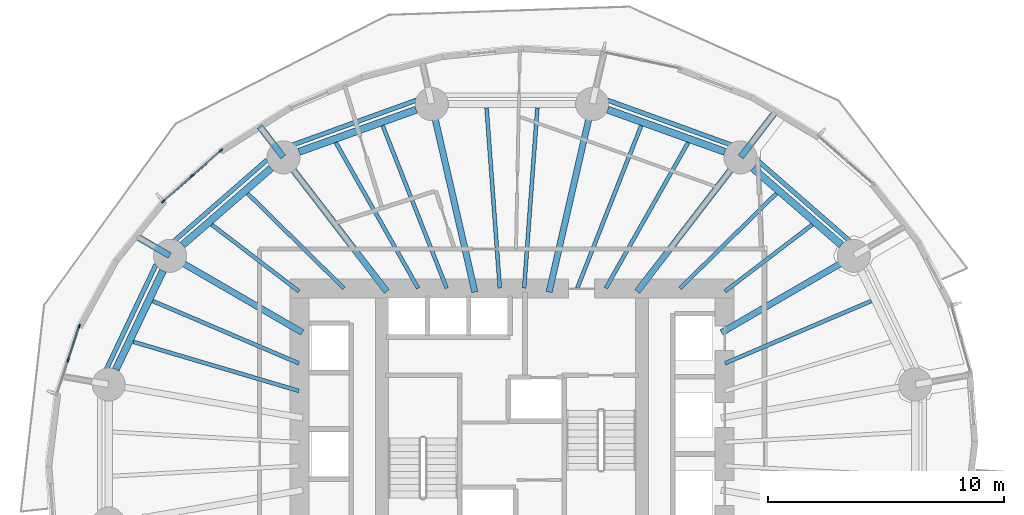
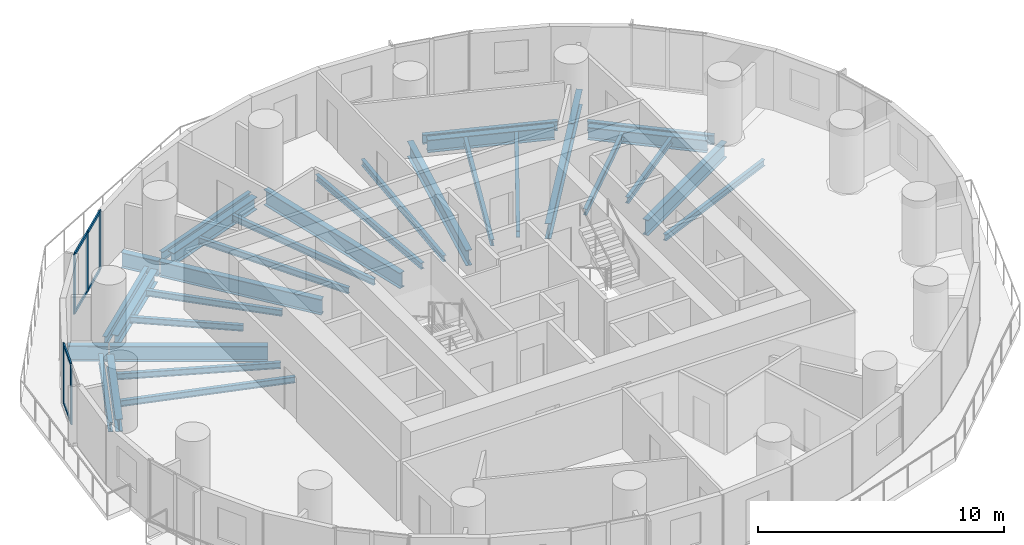
# One storey, part 4 of 13: 32 beams, 11 members, 2 elements without a shape of their own.
"""IFC4 building model written with IfcOpenShell, lengths in metres."""

from ifc_helpers import new_model, si_unit, direction, frame, origin, origin_2d, place, context, subcontext, project, spatial, rectangle, i_section, extrude, material, material_profile, profile_set, type_object, element, aggregate, save


model = new_model("IFC4")

# Units and contexts
model_context = context("Model", 3, precision=1e-05, world=origin(), true_north=direction((0.0, 1.0)))
body_context = subcontext(model_context, "Body", "Model", "MODEL_VIEW")
ifc_project = project(units=[si_unit("LENGTHUNIT", "METRE"), si_unit("AREAUNIT", "SQUARE_METRE"), si_unit("VOLUMEUNIT", "CUBIC_METRE"), si_unit("PLANEANGLEUNIT", "RADIAN"), si_unit("MASSUNIT", "GRAM", prefix="KILO")], contexts=[model_context])

# Site, building, storey
site_placement = place(None, origin())
site = spatial("IfcSite", under=ifc_project, at=site_placement, CompositionType="ELEMENT")
building_placement = place(site_placement, origin())
building = spatial("IfcBuilding", under=site, at=building_placement, Name="Veldorim Arch Residences", CompositionType="ELEMENT")
storey_placement = place(building_placement, frame((0.0, 0.0, 47.199951171875)))
storey = spatial("IfcBuildingStorey", under=building, at=storey_placement, Name="L13", CompositionType="ELEMENT", Elevation=47.199951171875)

# Beams
ifc_material_1 = material(Name="Steel S355", Category="steel")
ifc_material_profile_1 = material_profile(ifc_material_1, i_section(OverallWidth=0.30712890625, OverallDepth=0.6201171875, WebThickness=0.01416015625, FlangeThickness=0.023681640625, at=origin_2d()), Name="UB610x305x179")
ifc_profile_set_1 = profile_set([ifc_material_profile_1], Name="Steel S355")
beam_type_1 = type_object("IfcBeamType", Name="Structural Steel Beam UB610x305x179", PredefinedType="BEAM", material=ifc_profile_set_1)
beam_1_placement = place(storey_placement, frame((45.93896484375, 32.847900390625, -0.550048828125), z_axis=(-0.755264734985, 0.655419850239, 0.0), x_axis=(-0.655419850239, -0.755264734985, 0.0)))
element("IfcBeam", 1, at=beam_1_placement, inside=storey, type_object=beam_type_1, Name="L13 perimeter ring tie beam 02", PredefinedType="BEAM", context=body_context, shape_type="SweptSolid", body=[
    extrude(i_section(OverallWidth=0.30712890625, OverallDepth=0.6201171875, WebThickness=0.01416015625, FlangeThickness=0.023681640625, at=origin_2d()), origin(), (0.0, 0.0, 1.0), 4.956298828125),
])
for number, where, z_axis, x_axis, name in (
    (2, (41.00830078125, 36.7919921875, -0.550048828125), (-0.941058113369, 0.338244922006, 0.0), (-0.338244922006, -0.941058113369, 0.0), "L13 perimeter ring tie beam 03"),
    (3, (27.94677734375, 38.572998046875, -0.550048828125), (-0.941058113369, -0.338244922006, 0.0), (0.338244922006, -0.941058113369, 0.0), "L13 perimeter ring tie beam 05"),
):
    element("IfcBeam", number, at=place(storey_placement, frame(where, z_axis=z_axis, x_axis=x_axis)), inside=storey, type_object=beam_type_1, Name=name, PredefinedType="BEAM", context=body_context, shape_type="SweptSolid", body=[
        extrude(i_section(OverallWidth=0.30712890625, OverallDepth=0.6201171875, WebThickness=0.01416015625, FlangeThickness=0.023681640625, at=origin_2d()), origin(), (0.0, 0.0, 1.0), 5.265380859375),
    ])
beam_2_placement = place(storey_placement, frame((21.804443359375, 36.096435546875, -0.550048828125), z_axis=(-0.755264734985, -0.655419850239, 0.0), x_axis=(0.655419850239, -0.755264734985, 0.0)))
element("IfcBeam", 4, at=beam_2_placement, inside=storey, type_object=beam_type_1, Name="L13 perimeter ring tie beam 06", PredefinedType="BEAM", context=body_context, shape_type="SweptSolid", body=[
    extrude(i_section(OverallWidth=0.30712890625, OverallDepth=0.6201171875, WebThickness=0.01416015625, FlangeThickness=0.023681640625, at=origin_2d()), origin(), (0.0, 0.0, 1.0), 4.956298828125),
])
beam_3_placement = place(storey_placement, frame((17.23095703125, 31.75732421875, -0.550048828125), z_axis=(-0.430776422552, -0.902458682585, 0.0), x_axis=(0.902458682585, -0.430776422552, 0.0)))
element("IfcBeam", 5, at=beam_3_placement, inside=storey, type_object=beam_type_1, Name="L13 perimeter ring tie beam 07", PredefinedType="BEAM", context=body_context, shape_type="SweptSolid", body=[
    extrude(i_section(OverallWidth=0.30712890625, OverallDepth=0.6201171875, WebThickness=0.01416015625, FlangeThickness=0.023681640625, at=origin_2d()), origin(), (0.0, 0.0, 1.0), 4.63134765625),
])
ifc_material_2 = material(Name="Steel S355", Category="steel")
ifc_material_profile_2 = material_profile(ifc_material_2, i_section(OverallWidth=0.26806640625, OverallDepth=0.769775390625, WebThickness=0.015625, FlangeThickness=0.025390625, at=origin_2d()), Name="UB762x267x197")
ifc_profile_set_2 = profile_set([ifc_material_profile_2], Name="Steel S355")
beam_type_2 = type_object("IfcBeamType", Name="Structural Steel GIRDER UB762x267x197", PredefinedType="USERDEFINED", material=ifc_profile_set_2)
beam_4_placement = place(storey_placement, frame((40.8701171875, 29.1435546875, -0.624755859375), z_axis=(0.865088348752, 0.501619525989, 0.0), x_axis=(-0.501619525989, 0.865088348752, 0.0)))
element("IfcBeam", 6, at=beam_4_placement, inside=storey, type_object=beam_type_2, Name="L13 radial floor girder 02", ObjectType="GIRDER", PredefinedType="USERDEFINED", context=body_context, shape_type="SweptSolid", body=[
    extrude(i_section(OverallWidth=0.26806640625, OverallDepth=0.769775390625, WebThickness=0.015625, FlangeThickness=0.025390625, at=origin_2d()), origin(), (0.0, 0.0, 1.0), 6.4501953125),
])
beam_5_placement = place(storey_placement, frame((37.298095703125, 30.881103515625, -0.624755859375), z_axis=(0.610082439157, 0.792337943956, 0.0), x_axis=(-0.792337943956, 0.610082439157, 0.0)))
element("IfcBeam", 7, at=beam_5_placement, inside=storey, type_object=beam_type_2, Name="L13 radial floor girder 03", ObjectType="GIRDER", PredefinedType="USERDEFINED", context=body_context, shape_type="SweptSolid", body=[
    extrude(i_section(OverallWidth=0.26806640625, OverallDepth=0.769775390625, WebThickness=0.015625, FlangeThickness=0.025390625, at=origin_2d()), origin(), (0.0, 0.0, 1.0), 7.14111328125),
])
beam_6_placement = place(storey_placement, frame((41.67919921875, 36.571044921875, -0.624755859375), z_axis=(0.609999263859, 0.792401980116, 0.0), x_axis=(-0.792401980116, 0.609999263859, 0.0)))
element("IfcBeam", 8, at=beam_6_placement, inside=storey, type_object=beam_type_2, Name="L13 radial edge cantilever girder 03", ObjectType="GIRDER", PredefinedType="USERDEFINED", context=body_context, shape_type="SweptSolid", body=[
    extrude(i_section(OverallWidth=0.26806640625, OverallDepth=0.769775390625, WebThickness=0.015625, FlangeThickness=0.025390625, at=origin_2d()), origin(), (0.0, 0.0, 1.0), 2.453369140625),
])
for number, where, z_axis, x_axis, name in (
    (9, (33.571044921875, 30.853759765625, -0.624755859375), (0.223411766201, 0.974724157248, 0.0), (-0.974724157248, 0.223411766201, 0.0), "L13 radial floor girder 04"),
    (10, (30.428955078125, 30.853759765625, -0.624755859375), (-0.223411766201, 0.974724157248, 0.0), (-0.974724157248, -0.223411766201, 0.0), "L13 radial floor girder 05"),
):
    element("IfcBeam", number, at=place(storey_placement, frame(where, z_axis=z_axis, x_axis=x_axis)), inside=storey, type_object=beam_type_2, Name=name, ObjectType="GIRDER", PredefinedType="USERDEFINED", context=body_context, shape_type="SweptSolid", body=[
        extrude(i_section(OverallWidth=0.26806640625, OverallDepth=0.769775390625, WebThickness=0.015625, FlangeThickness=0.025390625, at=origin_2d()), origin(), (0.0, 0.0, 1.0), 8.142333984375),
    ])
beam_7_placement = place(storey_placement, frame((26.701904296875, 30.881103515625, -0.624755859375), z_axis=(-0.610082439157, 0.792337943956, 0.0), x_axis=(-0.792337943956, -0.610082439157, 0.0)))
element("IfcBeam", 11, at=beam_7_placement, inside=storey, type_object=beam_type_2, Name="L13 radial floor girder 06", ObjectType="GIRDER", PredefinedType="USERDEFINED", context=body_context, shape_type="SweptSolid", body=[
    extrude(i_section(OverallWidth=0.26806640625, OverallDepth=0.769775390625, WebThickness=0.015625, FlangeThickness=0.025390625, at=origin_2d()), origin(), (0.0, 0.0, 1.0), 7.14111328125),
])
beam_8_placement = place(storey_placement, frame((22.32080078125, 36.571044921875, -0.624755859375), z_axis=(-0.610020580693, 0.792385569739, 0.0), x_axis=(-0.792385569739, -0.610020580693, 0.0)))
element("IfcBeam", 12, at=beam_8_placement, inside=storey, type_object=beam_type_2, Name="L13 radial edge cantilever girder 06", ObjectType="GIRDER", PredefinedType="USERDEFINED", context=body_context, shape_type="SweptSolid", body=[
    extrude(i_section(OverallWidth=0.26806640625, OverallDepth=0.769775390625, WebThickness=0.015625, FlangeThickness=0.025390625, at=origin_2d()), origin(), (0.0, 0.0, 1.0), 1.63720703125),
])
beam_9_placement = place(storey_placement, frame((23.1298828125, 29.1435546875, -0.624755859375), z_axis=(-0.865088348752, 0.501619525989, 0.0), x_axis=(-0.501619525989, -0.865088348752, 0.0)))
element("IfcBeam", 13, at=beam_9_placement, inside=storey, type_object=beam_type_2, Name="L13 radial floor girder 07", ObjectType="GIRDER", PredefinedType="USERDEFINED", context=body_context, shape_type="SweptSolid", body=[
    extrude(i_section(OverallWidth=0.26806640625, OverallDepth=0.769775390625, WebThickness=0.015625, FlangeThickness=0.025390625, at=origin_2d()), origin(), (0.0, 0.0, 1.0), 6.4501953125),
])
beam_10_placement = place(storey_placement, frame((17.51513671875, 32.399169921875, -0.624755859375), z_axis=(-0.865102284846, 0.501595491163, 0.0), x_axis=(-0.501595491163, -0.865102284846, 0.0)))
element("IfcBeam", 14, at=beam_10_placement, inside=storey, type_object=beam_type_2, Name="L13 radial edge cantilever girder 07", ObjectType="GIRDER", PredefinedType="USERDEFINED", context=body_context, shape_type="SweptSolid", body=[
    extrude(i_section(OverallWidth=0.26806640625, OverallDepth=0.769775390625, WebThickness=0.015625, FlangeThickness=0.025390625, at=origin_2d()), origin(), (0.0, 0.0, 1.0), 1.6689453125),
])
ifc_material_3 = material(Name="Steel S355", Category="steel")
ifc_material_profile_3 = material_profile(ifc_material_3, i_section(OverallWidth=0.165771484375, OverallDepth=0.306640625, WebThickness=0.006591796875, FlangeThickness=0.01171875, at=origin_2d()), Name="UB305x165x46")
ifc_profile_set_3 = profile_set([ifc_material_profile_3], Name="Steel S355")
beam_type_3 = type_object("IfcBeamType", Name="Structural Steel Joist UB305x165x46", PredefinedType="JOIST", material=ifc_profile_set_3)
beam_11_placement = place(storey_placement, frame((41.018310546875, 27.84130859375, -0.393310546875), z_axis=(0.920032948668, 0.391841005213, 0.0), x_axis=(-0.391841005213, 0.920032948668, 0.0)))
element("IfcBeam", 15, at=beam_11_placement, inside=storey, type_object=beam_type_3, Name="L13 secondary radial floor joist 01-2", PredefinedType="JOIST", context=body_context, shape_type="SweptSolid", body=[
    extrude(i_section(OverallWidth=0.165771484375, OverallDepth=0.306640625, WebThickness=0.006591796875, FlangeThickness=0.01171875, at=origin_2d()), origin(), (0.0, 0.0, 1.0), 6.723388671875),
])
beam_12_placement = place(storey_placement, frame((41.015869140625, 30.8876953125, -0.393310546875), z_axis=(0.794666431166, 0.607046343517, 0.0), x_axis=(-0.607046343517, 0.794666431166, 0.0)))
element("IfcBeam", 16, at=beam_12_placement, inside=storey, type_object=beam_type_3, Name="L13 secondary radial floor joist 02-1", PredefinedType="JOIST", context=body_context, shape_type="SweptSolid", body=[
    extrude(i_section(OverallWidth=0.165771484375, OverallDepth=0.306640625, WebThickness=0.006591796875, FlangeThickness=0.01171875, at=origin_2d()), origin(), (0.0, 0.0, 1.0), 4.646728515625),
])
beam_13_placement = place(storey_placement, frame((39.114990234375, 31.013916015625, -0.393310546875), z_axis=(0.712129078446, 0.702048556463, 0.0), x_axis=(-0.702048556463, 0.712129078446, 0.0)))
element("IfcBeam", 17, at=beam_13_placement, inside=storey, type_object=beam_type_3, Name="L13 secondary radial floor joist 02-2", PredefinedType="JOIST", context=body_context, shape_type="SweptSolid", body=[
    extrude(i_section(OverallWidth=0.165771484375, OverallDepth=0.306640625, WebThickness=0.006591796875, FlangeThickness=0.01171875, at=origin_2d()), origin(), (0.0, 0.0, 1.0), 5.715576171875),
])
beam_14_placement = place(storey_placement, frame((35.96875, 31.017333984375, -0.393310546875), z_axis=(0.492292335352, 0.870429926274, 0.0), x_axis=(-0.870429926274, 0.492292335352, 0.0)))
element("IfcBeam", 18, at=beam_14_placement, inside=storey, type_object=beam_type_3, Name="L13 secondary radial floor joist 03-1", PredefinedType="JOIST", context=body_context, shape_type="SweptSolid", body=[
    extrude(i_section(OverallWidth=0.165771484375, OverallDepth=0.306640625, WebThickness=0.006591796875, FlangeThickness=0.01171875, at=origin_2d()), origin(), (0.0, 0.0, 1.0), 7.083251953125),
])
beam_15_placement = place(storey_placement, frame((34.762451171875, 31.0185546875, -0.393310546875), z_axis=(0.366229833858, 0.930524426758, 0.0), x_axis=(-0.930524426758, 0.366229833858, 0.0)))
element("IfcBeam", 19, at=beam_15_placement, inside=storey, type_object=beam_type_3, Name="L13 secondary radial floor joist 03-2", PredefinedType="JOIST", context=body_context, shape_type="SweptSolid", body=[
    extrude(i_section(OverallWidth=0.165771484375, OverallDepth=0.306640625, WebThickness=0.006591796875, FlangeThickness=0.01171875, at=origin_2d()), origin(), (0.0, 0.0, 1.0), 7.3896484375),
])
for number, where, z_axis, x_axis, name in (
    (20, (32.514892578125, 31.02001953125, -0.393310546875), (0.073167620373, 0.997319657547, 0.0), (-0.997319657547, 0.073167620373, 0.0), "L13 secondary radial floor joist 04-1"),
    (21, (31.485107421875, 31.02001953125, -0.393310546875), (-0.073167620373, 0.997319657547, 0.0), (-0.997319657547, -0.073167620373, 0.0), "L13 secondary radial floor joist 04-2"),
):
    element("IfcBeam", number, at=place(storey_placement, frame(where, z_axis=z_axis, x_axis=x_axis)), inside=storey, type_object=beam_type_3, Name=name, PredefinedType="JOIST", context=body_context, shape_type="SweptSolid", body=[
        extrude(i_section(OverallWidth=0.165771484375, OverallDepth=0.306640625, WebThickness=0.006591796875, FlangeThickness=0.01171875, at=origin_2d()), origin(), (0.0, 0.0, 1.0), 7.651123046875),
    ])
beam_16_placement = place(storey_placement, frame((29.237548828125, 31.0185546875, -0.393310546875), z_axis=(-0.366229833858, 0.930524426758, 0.0), x_axis=(-0.930524426758, -0.366229833858, 0.0)))
element("IfcBeam", 22, at=beam_16_placement, inside=storey, type_object=beam_type_3, Name="L13 secondary radial floor joist 05-1", PredefinedType="JOIST", context=body_context, shape_type="SweptSolid", body=[
    extrude(i_section(OverallWidth=0.165771484375, OverallDepth=0.306640625, WebThickness=0.006591796875, FlangeThickness=0.01171875, at=origin_2d()), origin(), (0.0, 0.0, 1.0), 7.3896484375),
])
beam_17_placement = place(storey_placement, frame((28.03125, 31.017333984375, -0.393310546875), z_axis=(-0.492292335352, 0.870429926274, 0.0), x_axis=(-0.870429926274, -0.492292335352, 0.0)))
element("IfcBeam", 23, at=beam_17_placement, inside=storey, type_object=beam_type_3, Name="L13 secondary radial floor joist 05-2", PredefinedType="JOIST", context=body_context, shape_type="SweptSolid", body=[
    extrude(i_section(OverallWidth=0.165771484375, OverallDepth=0.306640625, WebThickness=0.006591796875, FlangeThickness=0.01171875, at=origin_2d()), origin(), (0.0, 0.0, 1.0), 7.083251953125),
])
beam_18_placement = place(storey_placement, frame((24.885009765625, 31.013916015625, -0.393310546875), z_axis=(-0.712129078446, 0.702048556463, 0.0), x_axis=(-0.702048556463, -0.712129078446, 0.0)))
element("IfcBeam", 24, at=beam_18_placement, inside=storey, type_object=beam_type_3, Name="L13 secondary radial floor joist 06-1", PredefinedType="JOIST", context=body_context, shape_type="SweptSolid", body=[
    extrude(i_section(OverallWidth=0.165771484375, OverallDepth=0.306640625, WebThickness=0.006591796875, FlangeThickness=0.01171875, at=origin_2d()), origin(), (0.0, 0.0, 1.0), 5.715576171875),
])
beam_19_placement = place(storey_placement, frame((22.984130859375, 30.8876953125, -0.393310546875), z_axis=(-0.794666431166, 0.607046343517, 0.0), x_axis=(-0.607046343517, -0.794666431166, 0.0)))
element("IfcBeam", 25, at=beam_19_placement, inside=storey, type_object=beam_type_3, Name="L13 secondary radial floor joist 06-2", PredefinedType="JOIST", context=body_context, shape_type="SweptSolid", body=[
    extrude(i_section(OverallWidth=0.165771484375, OverallDepth=0.306640625, WebThickness=0.006591796875, FlangeThickness=0.01171875, at=origin_2d()), origin(), (0.0, 0.0, 1.0), 4.646728515625),
])
beam_20_placement = place(storey_placement, frame((22.981689453125, 27.84130859375, -0.393310546875), z_axis=(-0.920032948668, 0.391841005213, 0.0), x_axis=(-0.391841005213, -0.920032948668, 0.0)))
element("IfcBeam", 26, at=beam_20_placement, inside=storey, type_object=beam_type_3, Name="L13 secondary radial floor joist 07-1", PredefinedType="JOIST", context=body_context, shape_type="SweptSolid", body=[
    extrude(i_section(OverallWidth=0.165771484375, OverallDepth=0.306640625, WebThickness=0.006591796875, FlangeThickness=0.01171875, at=origin_2d()), origin(), (0.0, 0.0, 1.0), 6.723388671875),
])
beam_21_placement = place(storey_placement, frame((22.980712890625, 26.67333984375, -0.393310546875), z_axis=(-0.958766778771, 0.284194060325, 0.0), x_axis=(-0.284194060325, -0.958766778771, 0.0)))
element("IfcBeam", 27, at=beam_21_placement, inside=storey, type_object=beam_type_3, Name="L13 secondary radial floor joist 07-2", PredefinedType="JOIST", context=body_context, shape_type="SweptSolid", body=[
    extrude(i_section(OverallWidth=0.165771484375, OverallDepth=0.306640625, WebThickness=0.006591796875, FlangeThickness=0.01171875, at=origin_2d()), origin(), (0.0, 0.0, 1.0), 7.3115234375),
])
ifc_material_4 = material(Name="Steel S355", Category="steel")
ifc_material_profile_4 = material_profile(ifc_material_4, i_section(OverallWidth=0.19140625, OverallDepth=0.4599609375, WebThickness=0.010009765625, FlangeThickness=0.01611328125, at=origin_2d()), Name="UB457x191x82")
ifc_profile_set_4 = profile_set([ifc_material_profile_4], Name="Steel S355")
beam_type_4 = type_object("IfcBeamType", Name="Structural Steel Spandrel UB457x191x82", PredefinedType="SPANDREL", material=ifc_profile_set_4)
beam_22_placement = place(storey_placement, frame((46.332275390625, 32.98486328125, -0.489990234375), z_axis=(-0.75323350982, 0.657753205758, 0.0), x_axis=(-0.657753205758, -0.75323350982, 0.0)))
element("IfcBeam", 28, at=beam_22_placement, inside=storey, type_object=beam_type_4, Name="L13 perimeter chord spandrel beam 02", PredefinedType="SPANDREL", context=body_context, shape_type="SweptSolid", body=[
    extrude(i_section(OverallWidth=0.19140625, OverallDepth=0.4599609375, WebThickness=0.010009765625, FlangeThickness=0.01611328125, at=origin_2d()), origin(), (0.0, 0.0, 1.0), 5.27001953125),
])
for number, where, z_axis, x_axis, name in (
    (29, (41.319580078125, 37.06591796875, -0.489990234375), (-0.940268980555, 0.340432437064, 0.0), (-0.340432437064, -0.940268980555, 0.0), "L13 perimeter chord spandrel beam 03"),
    (30, (27.94140625, 38.970703125, -0.489990234375), (-0.940268980555, -0.340432437064, 0.0), (0.340432437064, -0.940268980555, 0.0), "L13 perimeter chord spandrel beam 05"),
):
    element("IfcBeam", number, at=place(storey_placement, frame(where, z_axis=z_axis, x_axis=x_axis)), inside=storey, type_object=beam_type_4, Name=name, PredefinedType="SPANDREL", context=body_context, shape_type="SweptSolid", body=[
        extrude(i_section(OverallWidth=0.19140625, OverallDepth=0.4599609375, WebThickness=0.010009765625, FlangeThickness=0.01611328125, at=origin_2d()), origin(), (0.0, 0.0, 1.0), 5.59521484375),
    ])
beam_23_placement = place(storey_placement, frame((21.63720703125, 36.451171875, -0.489990234375), z_axis=(-0.75323350982, -0.657753205758, 0.0), x_axis=(0.657753205758, -0.75323350982, 0.0)))
element("IfcBeam", 31, at=beam_23_placement, inside=storey, type_object=beam_type_4, Name="L13 perimeter chord spandrel beam 06", PredefinedType="SPANDREL", context=body_context, shape_type="SweptSolid", body=[
    extrude(i_section(OverallWidth=0.19140625, OverallDepth=0.4599609375, WebThickness=0.010009765625, FlangeThickness=0.01611328125, at=origin_2d()), origin(), (0.0, 0.0, 1.0), 5.27001953125),
])
beam_24_placement = place(storey_placement, frame((16.939453125, 32.023193359375, -0.489990234375), z_axis=(-0.428847831425, -0.903376741721, 0.0), x_axis=(0.903376741721, -0.428847831425, 0.0)))
element("IfcBeam", 32, at=beam_24_placement, inside=storey, type_object=beam_type_4, Name="L13 perimeter chord spandrel beam 07", PredefinedType="SPANDREL", context=body_context, shape_type="SweptSolid", body=[
    extrude(i_section(OverallWidth=0.19140625, OverallDepth=0.4599609375, WebThickness=0.010009765625, FlangeThickness=0.01611328125, at=origin_2d()), origin(), (0.0, 0.0, 1.0), 4.932861328125),
])

# Curtain wall, members
ifc_material_5 = material(Name="Aluminium", Category="aluminium")
curtain_wall_type = type_object("IfcCurtainWallType", Name="Zone 1 Acoustic Low-E Unitised Curtain Wall", PredefinedType="NOTDEFINED", material=ifc_material_5)
curtain_wall_1_placement = place(storey_placement, origin())
curtain_wall_1 = element("IfcCurtainWall", 33, at=curtain_wall_1_placement, inside=storey, type_object=curtain_wall_type, Name="L13 unitised curtain wall bay 13", PredefinedType="NOTDEFINED")
ifc_material_6 = material(Name="Aluminium", Category="aluminium")
ifc_material_profile_5 = material_profile(ifc_material_6, rectangle(XDim=0.06494140625, YDim=0.175048828125, at=origin_2d()), Name="ALU_MUL_65x175")
ifc_profile_set_5 = profile_set([ifc_material_profile_5], Name="Aluminium")
member_type_1 = type_object("IfcMemberType", Name="Zone 1 Acoustic Low-E Unitised Curtain Wall Mullion 65x175", PredefinedType="MULLION", material=ifc_profile_set_5)
member_1_placement = place(storey_placement, frame((17.2470703125, 34.698974609375, 0.0), z_axis=(0.0, 0.0, 1.0), x_axis=(-0.661206750082, 0.750203728094, 0.0)))
member_1 = element("IfcMember", 34, at=member_1_placement, type_object=member_type_1, Name="CW-Z1 mullion 1", PredefinedType="MULLION", context=body_context, shape_type="SweptSolid", body=[
    extrude(rectangle(XDim=0.06494140625, YDim=0.175048828125, at=origin_2d()), origin(), (0.0, 0.0, 1.0), 2.9599609375),
])
member_2_placement = place(storey_placement, frame((18.4638671875, 35.771484375, 0.0), z_axis=(0.0, 0.0, 1.0), x_axis=(-0.661206750082, 0.750203728094, 0.0)))
member_2 = element("IfcMember", 35, at=member_2_placement, type_object=member_type_1, Name="CW-Z1 mullion 2", PredefinedType="MULLION", context=body_context, shape_type="SweptSolid", body=[
    extrude(rectangle(XDim=0.06494140625, YDim=0.175048828125, at=origin_2d()), origin(), (0.0, 0.0, 1.0), 2.9599609375),
])
member_3_placement = place(storey_placement, frame((19.680908203125, 36.843994140625, 0.0), z_axis=(0.0, 0.0, 1.0), x_axis=(-0.661206750082, 0.750203728094, 0.0)))
member_3 = element("IfcMember", 36, at=member_3_placement, type_object=member_type_1, Name="CW-Z1 mullion 3", PredefinedType="MULLION", context=body_context, shape_type="SweptSolid", body=[
    extrude(rectangle(XDim=0.06494140625, YDim=0.175048828125, at=origin_2d()), origin(), (0.0, 0.0, 1.0), 2.9599609375),
])

curtain_wall_2_placement = place(storey_placement, origin())
curtain_wall_2 = element("IfcCurtainWall", 37, at=curtain_wall_2_placement, inside=storey, type_object=curtain_wall_type, Name="L13 unitised curtain wall bay 16", PredefinedType="NOTDEFINED")
member_4_placement = place(storey_placement, frame((13.217529296875, 27.972900390625, 0.0), z_axis=(0.0, 0.0, 1.0), x_axis=(-0.950263369365, 0.31144747365, 0.0)))
member_4 = element("IfcMember", 38, at=member_4_placement, type_object=member_type_1, Name="CW-Z1 mullion 2", PredefinedType="MULLION", context=body_context, shape_type="SweptSolid", body=[
    extrude(rectangle(XDim=0.06494140625, YDim=0.175048828125, at=origin_2d()), origin(), (0.0, 0.0, 1.0), 2.9599609375),
])
member_5_placement = place(storey_placement, frame((13.6875, 29.4072265625, 0.0), z_axis=(0.0, 0.0, 1.0), x_axis=(-0.950263369365, 0.31144747365, 0.0)))
member_5 = element("IfcMember", 39, at=member_5_placement, type_object=member_type_1, Name="CW-Z1 mullion 3", PredefinedType="MULLION", context=body_context, shape_type="SweptSolid", body=[
    extrude(rectangle(XDim=0.06494140625, YDim=0.175048828125, at=origin_2d()), origin(), (0.0, 0.0, 1.0), 2.9599609375),
])

# Member
ifc_material_7 = material(Name="Aluminium", Category="aluminium")
ifc_material_profile_6 = material_profile(ifc_material_7, rectangle(XDim=0.06494140625, YDim=0.14990234375, at=origin_2d()), Name="ALU_TRN_65x150")
ifc_profile_set_6 = profile_set([ifc_material_profile_6], Name="Aluminium")
member_type_2 = type_object("IfcMemberType", Name="Zone 1 Acoustic Low-E Unitised Curtain Wall Transom 65x150", PredefinedType="USERDEFINED", material=ifc_profile_set_6)
member_6_placement = place(storey_placement, frame((17.271484375, 34.720458984375, 0.032470703125), z_axis=(0.750162665742, 0.66125333642, 0.0), x_axis=(-0.66125333642, 0.750162665742, 0.0)))
member_6 = element("IfcMember", 40, at=member_6_placement, type_object=member_type_2, Name="CW-Z1 transom 1.1", ObjectType="TRANSOM", PredefinedType="USERDEFINED", context=body_context, shape_type="SweptSolid", body=[
    extrude(rectangle(XDim=0.06494140625, YDim=0.14990234375, at=origin_2d()), origin(), (0.0, 0.0, 1.0), 1.556884765625),
])

member_7_placement = place(storey_placement, frame((17.271484375, 34.720458984375, 2.927490234375), z_axis=(0.750162665742, 0.66125333642, 0.0), x_axis=(-0.66125333642, 0.750162665742, 0.0)))
member_7 = element("IfcMember", 41, at=member_7_placement, type_object=member_type_2, Name="CW-Z1 transom 1.2", ObjectType="TRANSOM", PredefinedType="USERDEFINED", context=body_context, shape_type="SweptSolid", body=[
    extrude(rectangle(XDim=0.06494140625, YDim=0.14990234375, at=origin_2d()), origin(), (0.0, 0.0, 1.0), 1.556884765625),
])

member_8_placement = place(storey_placement, frame((18.48828125, 35.79296875, 0.032470703125), z_axis=(0.750231218258, 0.661175558494, 0.0), x_axis=(-0.661175558494, 0.750231218258, 0.0)))
member_8 = element("IfcMember", 42, at=member_8_placement, type_object=member_type_2, Name="CW-Z1 transom 2.1", ObjectType="TRANSOM", PredefinedType="USERDEFINED", context=body_context, shape_type="SweptSolid", body=[
    extrude(rectangle(XDim=0.06494140625, YDim=0.14990234375, at=origin_2d()), origin(), (0.0, 0.0, 1.0), 1.55712890625),
])

member_9_placement = place(storey_placement, frame((18.48828125, 35.79296875, 2.927490234375), z_axis=(0.750231218258, 0.661175558494, 0.0), x_axis=(-0.661175558494, 0.750231218258, 0.0)))
member_9 = element("IfcMember", 43, at=member_9_placement, type_object=member_type_2, Name="CW-Z1 transom 2.2", ObjectType="TRANSOM", PredefinedType="USERDEFINED", context=body_context, shape_type="SweptSolid", body=[
    extrude(rectangle(XDim=0.06494140625, YDim=0.14990234375, at=origin_2d()), origin(), (0.0, 0.0, 1.0), 1.55712890625),
])

aggregate(curtain_wall_1, [member_1, member_2, member_3, member_6, member_7, member_8, member_9])

member_10_placement = place(storey_placement, frame((13.2275390625, 28.003662109375, 0.032470703125), z_axis=(0.311508136429, 0.950243485081, 0.0), x_axis=(-0.950243485081, 0.311508136429, 0.0)))
member_10 = element("IfcMember", 44, at=member_10_placement, type_object=member_type_2, Name="CW-Z1 transom 2.1", ObjectType="TRANSOM", PredefinedType="USERDEFINED", context=body_context, shape_type="SweptSolid", body=[
    extrude(rectangle(XDim=0.06494140625, YDim=0.14990234375, at=origin_2d()), origin(), (0.0, 0.0, 1.0), 1.4443359375),
])

member_11_placement = place(storey_placement, frame((13.2275390625, 28.003662109375, 2.927490234375), z_axis=(0.311508136429, 0.950243485081, 0.0), x_axis=(-0.950243485081, 0.311508136429, 0.0)))
member_11 = element("IfcMember", 45, at=member_11_placement, type_object=member_type_2, Name="CW-Z1 transom 2.2", ObjectType="TRANSOM", PredefinedType="USERDEFINED", context=body_context, shape_type="SweptSolid", body=[
    extrude(rectangle(XDim=0.06494140625, YDim=0.14990234375, at=origin_2d()), origin(), (0.0, 0.0, 1.0), 1.4443359375),
])

aggregate(curtain_wall_2, [member_4, member_5, member_10, member_11])

save(model, "model.ifc")
